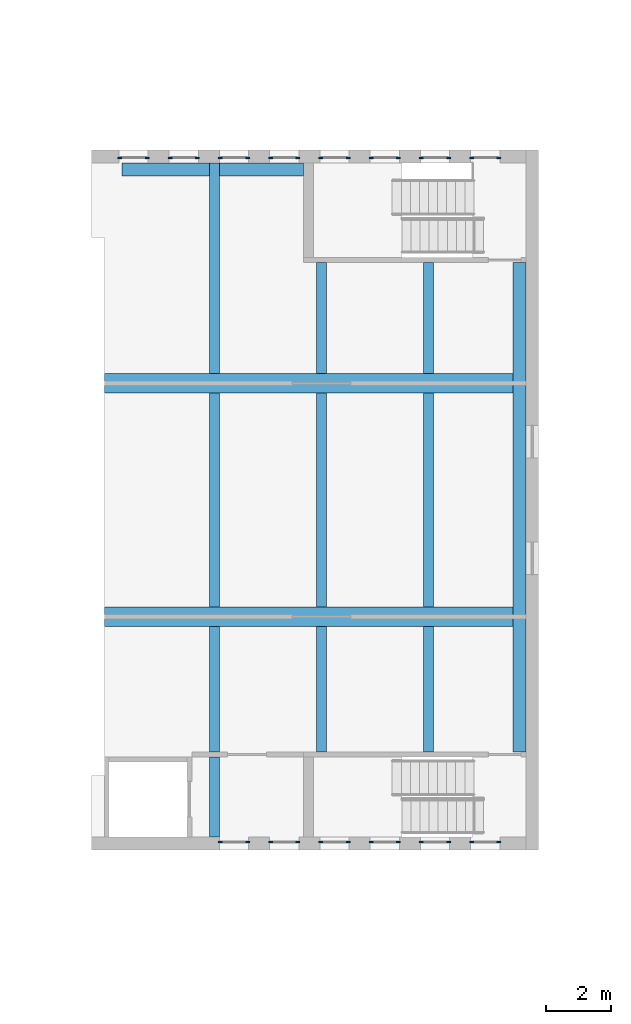
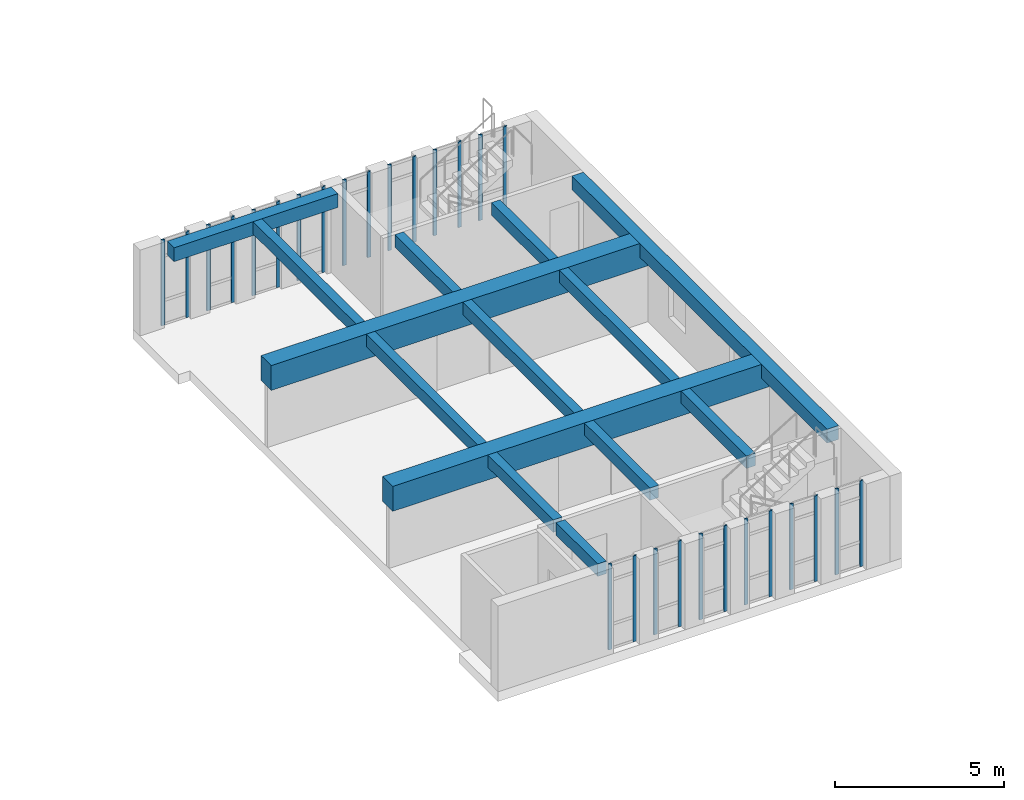
# One storey, part 4 of 19: 28 members, 14 beams, 14 elements without a shape of their own.
"""IFC4 building model written with IfcOpenShell, lengths in metres."""

from ifc_helpers import new_model, si_unit, direction, frame, origin, origin_2d, place, context, subcontext, project, spatial, rectangle, extrude, material, material_profile, profile_set, type_object, element, aggregate, save


model = new_model("IFC4")

# Units and contexts
model_context = context("Model", 3, precision=1e-05, world=origin(), true_north=direction((0.0, 1.0)))
body_context = subcontext(model_context, "Body", "Model", "MODEL_VIEW")
ifc_project = project(units=[si_unit("LENGTHUNIT", "METRE"), si_unit("AREAUNIT", "SQUARE_METRE"), si_unit("VOLUMEUNIT", "CUBIC_METRE"), si_unit("PLANEANGLEUNIT", "RADIAN"), si_unit("MASSUNIT", "GRAM", prefix="KILO")], contexts=[model_context])

# Site, building, storey
site_placement = place(None, origin())
site = spatial("IfcSite", under=ifc_project, at=site_placement, CompositionType="ELEMENT")
building_placement = place(site_placement, origin())
building = spatial("IfcBuilding", under=site, at=building_placement, Name="Vermilion Court Aquatics Centre", CompositionType="ELEMENT")
storey_placement = place(building_placement, frame((0.0, 0.0, 19.89990234375)))
storey = spatial("IfcBuildingStorey", under=building, at=storey_placement, Name="L04", CompositionType="ELEMENT", Elevation=19.89990234375)

# Beams
ifc_material_1 = material(Name="Concrete 8000 psi", Category="concrete")
ifc_material_profile_1 = material_profile(ifc_material_1, rectangle(XDim=0.39990234375, YDim=0.5, at=origin_2d()), Name="RC 400x500")
ifc_profile_set_1 = profile_set([ifc_material_profile_1], Name="Concrete 8000 psi")
beam_type_1 = type_object("IfcBeamType", Name="Diving Tower diaphragm chord beam RC 400x500", PredefinedType="BEAM", material=ifc_profile_set_1)
beam_1_placement = place(storey_placement, frame((157.300048828125, 39.02490234375, 2.85009765625), z_axis=(0.0, 1.0, 0.0), x_axis=(-1.0, 0.0, 0.0)))
element("IfcBeam", 1, at=beam_1_placement, inside=storey, type_object=beam_type_1, Name="Diving Tower diaphragm chord beam E roof", PredefinedType="BEAM", context=body_context, shape_type="SweptSolid", body=[
    extrude(rectangle(XDim=0.39990234375, YDim=0.5, at=origin_2d()), origin(), (0.0, 0.0, 1.0), 15.10009765625),
])
beam_2_placement = place(storey_placement, frame((145.050048828125, 57.0, 2.85009765625), z_axis=(1.0, 0.0, 0.0), x_axis=(0.0, 1.0, 0.0)))
element("IfcBeam", 2, at=beam_2_placement, inside=storey, type_object=beam_type_1, Name="Diving Tower diaphragm chord beam N roof", PredefinedType="BEAM", context=body_context, shape_type="SweptSolid", body=[
    extrude(rectangle(XDim=0.39990234375, YDim=0.5, at=origin_2d()), origin(), (0.0, 0.0, 1.0), 5.599853515625),
])
ifc_material_2 = material(Name="Concrete 8000 psi", Category="concrete")
ifc_material_profile_2 = material_profile(ifc_material_2, rectangle(XDim=0.300048828125, YDim=0.449951171875, at=origin_2d()), Name="RC 300x450")
ifc_profile_set_2 = profile_set([ifc_material_profile_2], Name="Concrete 8000 psi")
beam_type_2 = type_object("IfcBeamType", Name="Diving Tower floor joist RC 300x450", PredefinedType="JOIST", material=ifc_profile_set_2)
beam_3_placement = place(storey_placement, frame((147.89990234375, 36.39990234375, 2.875), z_axis=(0.0, 1.0, 0.0), x_axis=(-1.0, 0.0, 0.0)))
element("IfcBeam", 3, at=beam_3_placement, inside=storey, type_object=beam_type_2, Name="Diving Tower floor joist x147.9 1 roof", PredefinedType="JOIST", context=body_context, shape_type="SweptSolid", body=[
    extrude(rectangle(XDim=0.300048828125, YDim=0.449951171875, at=origin_2d()), origin(), (0.0, 0.0, 1.0), 2.47509765625),
])
beam_4_placement = place(storey_placement, frame((147.89990234375, 39.02490234375, 2.875), z_axis=(0.0, 1.0, 0.0), x_axis=(-1.0, 0.0, 0.0)))
element("IfcBeam", 4, at=beam_4_placement, inside=storey, type_object=beam_type_2, Name="Diving Tower floor joist x147.9 2 roof", PredefinedType="JOIST", context=body_context, shape_type="SweptSolid", body=[
    extrude(rectangle(XDim=0.300048828125, YDim=0.449951171875, at=origin_2d()), origin(), (0.0, 0.0, 1.0), 3.875),
])
beam_5_placement = place(storey_placement, frame((147.89990234375, 43.5, 2.875), z_axis=(0.0, 1.0, 0.0), x_axis=(-1.0, 0.0, 0.0)))
element("IfcBeam", 5, at=beam_5_placement, inside=storey, type_object=beam_type_2, Name="Diving Tower floor joist x147.9 3 roof", PredefinedType="JOIST", context=body_context, shape_type="SweptSolid", body=[
    extrude(rectangle(XDim=0.300048828125, YDim=0.449951171875, at=origin_2d()), origin(), (0.0, 0.0, 1.0), 6.60009765625),
])
beam_6_placement = place(storey_placement, frame((147.89990234375, 50.699951171875, 2.875), z_axis=(0.0, 1.0, 0.0), x_axis=(-1.0, 0.0, 0.0)))
element("IfcBeam", 6, at=beam_6_placement, inside=storey, type_object=beam_type_2, Name="Diving Tower floor joist x147.9 4 roof", PredefinedType="JOIST", context=body_context, shape_type="SweptSolid", body=[
    extrude(rectangle(XDim=0.300048828125, YDim=0.449951171875, at=origin_2d()), origin(), (0.0, 0.0, 1.0), 6.5),
])
beam_7_placement = place(storey_placement, frame((151.199951171875, 39.02490234375, 2.875), z_axis=(0.0, 1.0, 0.0), x_axis=(-1.0, 0.0, 0.0)))
element("IfcBeam", 7, at=beam_7_placement, inside=storey, type_object=beam_type_2, Name="Diving Tower floor joist x151.2 1 roof", PredefinedType="JOIST", context=body_context, shape_type="SweptSolid", body=[
    extrude(rectangle(XDim=0.300048828125, YDim=0.449951171875, at=origin_2d()), origin(), (0.0, 0.0, 1.0), 3.875),
])
beam_8_placement = place(storey_placement, frame((151.199951171875, 43.5, 2.875), z_axis=(0.0, 1.0, 0.0), x_axis=(-1.0, 0.0, 0.0)))
element("IfcBeam", 8, at=beam_8_placement, inside=storey, type_object=beam_type_2, Name="Diving Tower floor joist x151.2 2 roof", PredefinedType="JOIST", context=body_context, shape_type="SweptSolid", body=[
    extrude(rectangle(XDim=0.300048828125, YDim=0.449951171875, at=origin_2d()), origin(), (0.0, 0.0, 1.0), 6.60009765625),
])
beam_9_placement = place(storey_placement, frame((151.199951171875, 50.699951171875, 2.875), z_axis=(0.0, 1.0, 0.0), x_axis=(-1.0, 0.0, 0.0)))
element("IfcBeam", 9, at=beam_9_placement, inside=storey, type_object=beam_type_2, Name="Diving Tower floor joist x151.2 3 roof", PredefinedType="JOIST", context=body_context, shape_type="SweptSolid", body=[
    extrude(rectangle(XDim=0.300048828125, YDim=0.449951171875, at=origin_2d()), origin(), (0.0, 0.0, 1.0), 3.425048828125),
])
beam_10_placement = place(storey_placement, frame((154.5, 39.02490234375, 2.875), z_axis=(0.0, 1.0, 0.0), x_axis=(-1.0, 0.0, 0.0)))
element("IfcBeam", 10, at=beam_10_placement, inside=storey, type_object=beam_type_2, Name="Diving Tower floor joist x154.5 1 roof", PredefinedType="JOIST", context=body_context, shape_type="SweptSolid", body=[
    extrude(rectangle(XDim=0.300048828125, YDim=0.449951171875, at=origin_2d()), origin(), (0.0, 0.0, 1.0), 3.875),
])
beam_11_placement = place(storey_placement, frame((154.5, 43.5, 2.875), z_axis=(0.0, 1.0, 0.0), x_axis=(-1.0, 0.0, 0.0)))
element("IfcBeam", 11, at=beam_11_placement, inside=storey, type_object=beam_type_2, Name="Diving Tower floor joist x154.5 2 roof", PredefinedType="JOIST", context=body_context, shape_type="SweptSolid", body=[
    extrude(rectangle(XDim=0.300048828125, YDim=0.449951171875, at=origin_2d()), origin(), (0.0, 0.0, 1.0), 6.60009765625),
])
beam_12_placement = place(storey_placement, frame((154.5, 50.699951171875, 2.875), z_axis=(0.0, 1.0, 0.0), x_axis=(-1.0, 0.0, 0.0)))
element("IfcBeam", 12, at=beam_12_placement, inside=storey, type_object=beam_type_2, Name="Diving Tower floor joist x154.5 3 roof", PredefinedType="JOIST", context=body_context, shape_type="SweptSolid", body=[
    extrude(rectangle(XDim=0.300048828125, YDim=0.449951171875, at=origin_2d()), origin(), (0.0, 0.0, 1.0), 3.425048828125),
])
ifc_material_3 = material(Name="Concrete 8000 psi", Category="concrete")
ifc_material_profile_3 = material_profile(ifc_material_3, rectangle(XDim=0.60009765625, YDim=0.89990234375, at=origin_2d()), Name="RC 600x900")
ifc_profile_set_3 = profile_set([ifc_material_profile_3], Name="Concrete 8000 psi")
beam_type_3 = type_object("IfcBeamType", Name="Diving Tower girder 600x900", PredefinedType="BEAM", material=ifc_profile_set_3)
for number, where, z_axis, x_axis, name in (
    (13, (144.5, 43.199951171875, 2.650146484375), (1.0, 0.0, 0.0), (0.0, 1.0, 0.0), "Diving Tower girder y43.2 roof"),
    (14, (144.5, 50.39990234375, 2.650146484375), (1.0, 0.0, 0.0), (0.0, 1.0, 0.0), "Diving Tower girder y50.4 roof"),
):
    element("IfcBeam", number, at=place(storey_placement, frame(where, z_axis=z_axis, x_axis=x_axis)), inside=storey, type_object=beam_type_3, Name=name, PredefinedType="BEAM", context=body_context, shape_type="SweptSolid", body=[
        extrude(rectangle(XDim=0.60009765625, YDim=0.89990234375, at=origin_2d()), origin(), (0.0, 0.0, 1.0), 13.0),
    ])

# Curtain wall, members
ifc_material_4 = material(Name="Aluminium 6063-T5", Category="aluminium")
curtain_wall_type = type_object("IfcCurtainWallType", Name="Diving Tower slot curtain wall 900 module", PredefinedType="NOTDEFINED", material=ifc_material_4)
curtain_wall_1_placement = place(storey_placement, origin())
curtain_wall_1 = element("IfcCurtainWall", 15, at=curtain_wall_1_placement, inside=storey, type_object=curtain_wall_type, Name="Diving Tower slot window north 1 L04", PredefinedType="NOTDEFINED")
ifc_material_5 = material(Name="Aluminium 6063-T5", Category="aluminium")
ifc_material_profile_4 = material_profile(ifc_material_5, rectangle(XDim=0.050048828125, YDim=0.1201171875, at=origin_2d()), Name="AL 50x120")
ifc_profile_set_4 = profile_set([ifc_material_profile_4], Name="Aluminium 6063-T5")
member_type = type_object("IfcMemberType", Name="Diving Tower slot mullion 50x120", PredefinedType="MULLION", material=ifc_profile_set_4)
member_1_placement = place(storey_placement, frame((144.97998046875, 57.35009765625, 0.0), z_axis=(0.0, 0.0, 1.0), x_axis=(0.0, 1.0, 0.0)))
member_1 = element("IfcMember", 16, at=member_1_placement, type_object=member_type, Name="UCW3 mullion 1", PredefinedType="MULLION", context=body_context, shape_type="SweptSolid", body=[
    extrude(rectangle(XDim=0.050048828125, YDim=0.1201171875, at=origin_2d()), origin(), (0.0, 0.0, 1.0), 3.10009765625),
])
member_2_placement = place(storey_placement, frame((145.820068359375, 57.35009765625, 0.0), z_axis=(0.0, 0.0, 1.0), x_axis=(0.0, 1.0, 0.0)))
member_2 = element("IfcMember", 17, at=member_2_placement, type_object=member_type, Name="UCW3 mullion 2", PredefinedType="MULLION", context=body_context, shape_type="SweptSolid", body=[
    extrude(rectangle(XDim=0.050048828125, YDim=0.1201171875, at=origin_2d()), origin(), (0.0, 0.0, 1.0), 3.10009765625),
])
aggregate(curtain_wall_1, [member_1, member_2])

curtain_wall_2_placement = place(storey_placement, origin())
curtain_wall_2 = element("IfcCurtainWall", 18, at=curtain_wall_2_placement, inside=storey, type_object=curtain_wall_type, Name="Diving Tower slot window north 2 L04", PredefinedType="NOTDEFINED")
member_3_placement = place(storey_placement, frame((146.530029296875, 57.35009765625, 0.0), z_axis=(0.0, 0.0, 1.0), x_axis=(0.0, 1.0, 0.0)))
member_3 = element("IfcMember", 19, at=member_3_placement, type_object=member_type, Name="UCW3 mullion 1", PredefinedType="MULLION", context=body_context, shape_type="SweptSolid", body=[
    extrude(rectangle(XDim=0.050048828125, YDim=0.1201171875, at=origin_2d()), origin(), (0.0, 0.0, 1.0), 3.10009765625),
])
member_4_placement = place(storey_placement, frame((147.3701171875, 57.35009765625, 0.0), z_axis=(0.0, 0.0, 1.0), x_axis=(0.0, 1.0, 0.0)))
member_4 = element("IfcMember", 20, at=member_4_placement, type_object=member_type, Name="UCW3 mullion 2", PredefinedType="MULLION", context=body_context, shape_type="SweptSolid", body=[
    extrude(rectangle(XDim=0.050048828125, YDim=0.1201171875, at=origin_2d()), origin(), (0.0, 0.0, 1.0), 3.10009765625),
])
aggregate(curtain_wall_2, [member_3, member_4])

curtain_wall_3_placement = place(storey_placement, origin())
curtain_wall_3 = element("IfcCurtainWall", 21, at=curtain_wall_3_placement, inside=storey, type_object=curtain_wall_type, Name="Diving Tower slot window north 3 L04", PredefinedType="NOTDEFINED")
member_5_placement = place(storey_placement, frame((148.080078125, 57.35009765625, 0.0), z_axis=(0.0, 0.0, 1.0), x_axis=(0.0, 1.0, 0.0)))
member_5 = element("IfcMember", 22, at=member_5_placement, type_object=member_type, Name="UCW3 mullion 1", PredefinedType="MULLION", context=body_context, shape_type="SweptSolid", body=[
    extrude(rectangle(XDim=0.050048828125, YDim=0.1201171875, at=origin_2d()), origin(), (0.0, 0.0, 1.0), 3.10009765625),
])
member_6_placement = place(storey_placement, frame((148.919921875, 57.35009765625, 0.0), z_axis=(0.0, 0.0, 1.0), x_axis=(0.0, 1.0, 0.0)))
member_6 = element("IfcMember", 23, at=member_6_placement, type_object=member_type, Name="UCW3 mullion 2", PredefinedType="MULLION", context=body_context, shape_type="SweptSolid", body=[
    extrude(rectangle(XDim=0.050048828125, YDim=0.1201171875, at=origin_2d()), origin(), (0.0, 0.0, 1.0), 3.10009765625),
])
aggregate(curtain_wall_3, [member_5, member_6])

curtain_wall_4_placement = place(storey_placement, origin())
curtain_wall_4 = element("IfcCurtainWall", 24, at=curtain_wall_4_placement, inside=storey, type_object=curtain_wall_type, Name="Diving Tower slot window north 4 L04", PredefinedType="NOTDEFINED")
member_7_placement = place(storey_placement, frame((149.6298828125, 57.35009765625, 0.0), z_axis=(0.0, 0.0, 1.0), x_axis=(0.0, 1.0, 0.0)))
member_7 = element("IfcMember", 25, at=member_7_placement, type_object=member_type, Name="UCW3 mullion 1", PredefinedType="MULLION", context=body_context, shape_type="SweptSolid", body=[
    extrude(rectangle(XDim=0.050048828125, YDim=0.1201171875, at=origin_2d()), origin(), (0.0, 0.0, 1.0), 3.10009765625),
])
member_8_placement = place(storey_placement, frame((150.469970703125, 57.35009765625, 0.0), z_axis=(0.0, 0.0, 1.0), x_axis=(0.0, 1.0, 0.0)))
member_8 = element("IfcMember", 26, at=member_8_placement, type_object=member_type, Name="UCW3 mullion 2", PredefinedType="MULLION", context=body_context, shape_type="SweptSolid", body=[
    extrude(rectangle(XDim=0.050048828125, YDim=0.1201171875, at=origin_2d()), origin(), (0.0, 0.0, 1.0), 3.10009765625),
])
aggregate(curtain_wall_4, [member_7, member_8])

curtain_wall_5_placement = place(storey_placement, origin())
curtain_wall_5 = element("IfcCurtainWall", 27, at=curtain_wall_5_placement, inside=storey, type_object=curtain_wall_type, Name="Diving Tower slot window north 5 L04", PredefinedType="NOTDEFINED")
member_9_placement = place(storey_placement, frame((151.179931640625, 57.35009765625, 0.0), z_axis=(0.0, 0.0, 1.0), x_axis=(0.0, 1.0, 0.0)))
member_9 = element("IfcMember", 28, at=member_9_placement, type_object=member_type, Name="UCW3 mullion 1", PredefinedType="MULLION", context=body_context, shape_type="SweptSolid", body=[
    extrude(rectangle(XDim=0.050048828125, YDim=0.1201171875, at=origin_2d()), origin(), (0.0, 0.0, 1.0), 3.10009765625),
])
member_10_placement = place(storey_placement, frame((152.02001953125, 57.35009765625, 0.0), z_axis=(0.0, 0.0, 1.0), x_axis=(0.0, 1.0, 0.0)))
member_10 = element("IfcMember", 29, at=member_10_placement, type_object=member_type, Name="UCW3 mullion 2", PredefinedType="MULLION", context=body_context, shape_type="SweptSolid", body=[
    extrude(rectangle(XDim=0.050048828125, YDim=0.1201171875, at=origin_2d()), origin(), (0.0, 0.0, 1.0), 3.10009765625),
])
aggregate(curtain_wall_5, [member_9, member_10])

curtain_wall_6_placement = place(storey_placement, origin())
curtain_wall_6 = element("IfcCurtainWall", 30, at=curtain_wall_6_placement, inside=storey, type_object=curtain_wall_type, Name="Diving Tower slot window north 6 L04", PredefinedType="NOTDEFINED")
member_11_placement = place(storey_placement, frame((152.72998046875, 57.35009765625, 0.0), z_axis=(0.0, 0.0, 1.0), x_axis=(0.0, 1.0, 0.0)))
member_11 = element("IfcMember", 31, at=member_11_placement, type_object=member_type, Name="UCW3 mullion 1", PredefinedType="MULLION", context=body_context, shape_type="SweptSolid", body=[
    extrude(rectangle(XDim=0.050048828125, YDim=0.1201171875, at=origin_2d()), origin(), (0.0, 0.0, 1.0), 3.10009765625),
])
member_12_placement = place(storey_placement, frame((153.570068359375, 57.35009765625, 0.0), z_axis=(0.0, 0.0, 1.0), x_axis=(0.0, 1.0, 0.0)))
member_12 = element("IfcMember", 32, at=member_12_placement, type_object=member_type, Name="UCW3 mullion 2", PredefinedType="MULLION", context=body_context, shape_type="SweptSolid", body=[
    extrude(rectangle(XDim=0.050048828125, YDim=0.1201171875, at=origin_2d()), origin(), (0.0, 0.0, 1.0), 3.10009765625),
])
aggregate(curtain_wall_6, [member_11, member_12])

curtain_wall_7_placement = place(storey_placement, origin())
curtain_wall_7 = element("IfcCurtainWall", 33, at=curtain_wall_7_placement, inside=storey, type_object=curtain_wall_type, Name="Diving Tower slot window north 7 L04", PredefinedType="NOTDEFINED")
member_13_placement = place(storey_placement, frame((154.280029296875, 57.35009765625, 0.0), z_axis=(0.0, 0.0, 1.0), x_axis=(0.0, 1.0, 0.0)))
member_13 = element("IfcMember", 34, at=member_13_placement, type_object=member_type, Name="UCW3 mullion 1", PredefinedType="MULLION", context=body_context, shape_type="SweptSolid", body=[
    extrude(rectangle(XDim=0.050048828125, YDim=0.1201171875, at=origin_2d()), origin(), (0.0, 0.0, 1.0), 3.10009765625),
])
member_14_placement = place(storey_placement, frame((155.1201171875, 57.35009765625, 0.0), z_axis=(0.0, 0.0, 1.0), x_axis=(0.0, 1.0, 0.0)))
member_14 = element("IfcMember", 35, at=member_14_placement, type_object=member_type, Name="UCW3 mullion 2", PredefinedType="MULLION", context=body_context, shape_type="SweptSolid", body=[
    extrude(rectangle(XDim=0.050048828125, YDim=0.1201171875, at=origin_2d()), origin(), (0.0, 0.0, 1.0), 3.10009765625),
])
aggregate(curtain_wall_7, [member_13, member_14])

curtain_wall_8_placement = place(storey_placement, origin())
curtain_wall_8 = element("IfcCurtainWall", 36, at=curtain_wall_8_placement, inside=storey, type_object=curtain_wall_type, Name="Diving Tower slot window north 8 L04", PredefinedType="NOTDEFINED")
member_15_placement = place(storey_placement, frame((155.830078125, 57.35009765625, 0.0), z_axis=(0.0, 0.0, 1.0), x_axis=(0.0, 1.0, 0.0)))
member_15 = element("IfcMember", 37, at=member_15_placement, type_object=member_type, Name="UCW3 mullion 1", PredefinedType="MULLION", context=body_context, shape_type="SweptSolid", body=[
    extrude(rectangle(XDim=0.050048828125, YDim=0.1201171875, at=origin_2d()), origin(), (0.0, 0.0, 1.0), 3.10009765625),
])
member_16_placement = place(storey_placement, frame((156.669921875, 57.35009765625, 0.0), z_axis=(0.0, 0.0, 1.0), x_axis=(0.0, 1.0, 0.0)))
member_16 = element("IfcMember", 38, at=member_16_placement, type_object=member_type, Name="UCW3 mullion 2", PredefinedType="MULLION", context=body_context, shape_type="SweptSolid", body=[
    extrude(rectangle(XDim=0.050048828125, YDim=0.1201171875, at=origin_2d()), origin(), (0.0, 0.0, 1.0), 3.10009765625),
])
aggregate(curtain_wall_8, [member_15, member_16])

curtain_wall_9_placement = place(storey_placement, origin())
curtain_wall_9 = element("IfcCurtainWall", 39, at=curtain_wall_9_placement, inside=storey, type_object=curtain_wall_type, Name="Diving Tower slot window south 1 L04", PredefinedType="NOTDEFINED")
member_17_placement = place(storey_placement, frame((148.080078125, 36.25, 0.0), z_axis=(0.0, 0.0, 1.0), x_axis=(0.0, 1.0, 0.0)))
member_17 = element("IfcMember", 40, at=member_17_placement, type_object=member_type, Name="UCW3 mullion 1", PredefinedType="MULLION", context=body_context, shape_type="SweptSolid", body=[
    extrude(rectangle(XDim=0.050048828125, YDim=0.1201171875, at=origin_2d()), origin(), (0.0, 0.0, 1.0), 3.10009765625),
])
member_18_placement = place(storey_placement, frame((148.919921875, 36.25, 0.0), z_axis=(0.0, 0.0, 1.0), x_axis=(0.0, 1.0, 0.0)))
member_18 = element("IfcMember", 41, at=member_18_placement, type_object=member_type, Name="UCW3 mullion 2", PredefinedType="MULLION", context=body_context, shape_type="SweptSolid", body=[
    extrude(rectangle(XDim=0.050048828125, YDim=0.1201171875, at=origin_2d()), origin(), (0.0, 0.0, 1.0), 3.10009765625),
])
aggregate(curtain_wall_9, [member_17, member_18])

curtain_wall_10_placement = place(storey_placement, origin())
curtain_wall_10 = element("IfcCurtainWall", 42, at=curtain_wall_10_placement, inside=storey, type_object=curtain_wall_type, Name="Diving Tower slot window south 2 L04", PredefinedType="NOTDEFINED")
member_19_placement = place(storey_placement, frame((149.6298828125, 36.25, 0.0), z_axis=(0.0, 0.0, 1.0), x_axis=(0.0, 1.0, 0.0)))
member_19 = element("IfcMember", 43, at=member_19_placement, type_object=member_type, Name="UCW3 mullion 1", PredefinedType="MULLION", context=body_context, shape_type="SweptSolid", body=[
    extrude(rectangle(XDim=0.050048828125, YDim=0.1201171875, at=origin_2d()), origin(), (0.0, 0.0, 1.0), 3.10009765625),
])
member_20_placement = place(storey_placement, frame((150.469970703125, 36.25, 0.0), z_axis=(0.0, 0.0, 1.0), x_axis=(0.0, 1.0, 0.0)))
member_20 = element("IfcMember", 44, at=member_20_placement, type_object=member_type, Name="UCW3 mullion 2", PredefinedType="MULLION", context=body_context, shape_type="SweptSolid", body=[
    extrude(rectangle(XDim=0.050048828125, YDim=0.1201171875, at=origin_2d()), origin(), (0.0, 0.0, 1.0), 3.10009765625),
])
aggregate(curtain_wall_10, [member_19, member_20])

curtain_wall_11_placement = place(storey_placement, origin())
curtain_wall_11 = element("IfcCurtainWall", 45, at=curtain_wall_11_placement, inside=storey, type_object=curtain_wall_type, Name="Diving Tower slot window south 3 L04", PredefinedType="NOTDEFINED")
member_21_placement = place(storey_placement, frame((151.179931640625, 36.25, 0.0), z_axis=(0.0, 0.0, 1.0), x_axis=(0.0, 1.0, 0.0)))
member_21 = element("IfcMember", 46, at=member_21_placement, type_object=member_type, Name="UCW3 mullion 1", PredefinedType="MULLION", context=body_context, shape_type="SweptSolid", body=[
    extrude(rectangle(XDim=0.050048828125, YDim=0.1201171875, at=origin_2d()), origin(), (0.0, 0.0, 1.0), 3.10009765625),
])
member_22_placement = place(storey_placement, frame((152.02001953125, 36.25, 0.0), z_axis=(0.0, 0.0, 1.0), x_axis=(0.0, 1.0, 0.0)))
member_22 = element("IfcMember", 47, at=member_22_placement, type_object=member_type, Name="UCW3 mullion 2", PredefinedType="MULLION", context=body_context, shape_type="SweptSolid", body=[
    extrude(rectangle(XDim=0.050048828125, YDim=0.1201171875, at=origin_2d()), origin(), (0.0, 0.0, 1.0), 3.10009765625),
])
aggregate(curtain_wall_11, [member_21, member_22])

curtain_wall_12_placement = place(storey_placement, origin())
curtain_wall_12 = element("IfcCurtainWall", 48, at=curtain_wall_12_placement, inside=storey, type_object=curtain_wall_type, Name="Diving Tower slot window south 4 L04", PredefinedType="NOTDEFINED")
member_23_placement = place(storey_placement, frame((152.72998046875, 36.25, 0.0), z_axis=(0.0, 0.0, 1.0), x_axis=(0.0, 1.0, 0.0)))
member_23 = element("IfcMember", 49, at=member_23_placement, type_object=member_type, Name="UCW3 mullion 1", PredefinedType="MULLION", context=body_context, shape_type="SweptSolid", body=[
    extrude(rectangle(XDim=0.050048828125, YDim=0.1201171875, at=origin_2d()), origin(), (0.0, 0.0, 1.0), 3.10009765625),
])
member_24_placement = place(storey_placement, frame((153.570068359375, 36.25, 0.0), z_axis=(0.0, 0.0, 1.0), x_axis=(0.0, 1.0, 0.0)))
member_24 = element("IfcMember", 50, at=member_24_placement, type_object=member_type, Name="UCW3 mullion 2", PredefinedType="MULLION", context=body_context, shape_type="SweptSolid", body=[
    extrude(rectangle(XDim=0.050048828125, YDim=0.1201171875, at=origin_2d()), origin(), (0.0, 0.0, 1.0), 3.10009765625),
])
aggregate(curtain_wall_12, [member_23, member_24])

curtain_wall_13_placement = place(storey_placement, origin())
curtain_wall_13 = element("IfcCurtainWall", 51, at=curtain_wall_13_placement, inside=storey, type_object=curtain_wall_type, Name="Diving Tower slot window south 5 L04", PredefinedType="NOTDEFINED")
member_25_placement = place(storey_placement, frame((154.280029296875, 36.25, 0.0), z_axis=(0.0, 0.0, 1.0), x_axis=(0.0, 1.0, 0.0)))
member_25 = element("IfcMember", 52, at=member_25_placement, type_object=member_type, Name="UCW3 mullion 1", PredefinedType="MULLION", context=body_context, shape_type="SweptSolid", body=[
    extrude(rectangle(XDim=0.050048828125, YDim=0.1201171875, at=origin_2d()), origin(), (0.0, 0.0, 1.0), 3.10009765625),
])
member_26_placement = place(storey_placement, frame((155.1201171875, 36.25, 0.0), z_axis=(0.0, 0.0, 1.0), x_axis=(0.0, 1.0, 0.0)))
member_26 = element("IfcMember", 53, at=member_26_placement, type_object=member_type, Name="UCW3 mullion 2", PredefinedType="MULLION", context=body_context, shape_type="SweptSolid", body=[
    extrude(rectangle(XDim=0.050048828125, YDim=0.1201171875, at=origin_2d()), origin(), (0.0, 0.0, 1.0), 3.10009765625),
])
aggregate(curtain_wall_13, [member_25, member_26])

curtain_wall_14_placement = place(storey_placement, origin())
curtain_wall_14 = element("IfcCurtainWall", 54, at=curtain_wall_14_placement, inside=storey, type_object=curtain_wall_type, Name="Diving Tower slot window south 6 L04", PredefinedType="NOTDEFINED")
member_27_placement = place(storey_placement, frame((155.830078125, 36.25, 0.0), z_axis=(0.0, 0.0, 1.0), x_axis=(0.0, 1.0, 0.0)))
member_27 = element("IfcMember", 55, at=member_27_placement, type_object=member_type, Name="UCW3 mullion 1", PredefinedType="MULLION", context=body_context, shape_type="SweptSolid", body=[
    extrude(rectangle(XDim=0.050048828125, YDim=0.1201171875, at=origin_2d()), origin(), (0.0, 0.0, 1.0), 3.10009765625),
])
member_28_placement = place(storey_placement, frame((156.669921875, 36.25, 0.0), z_axis=(0.0, 0.0, 1.0), x_axis=(0.0, 1.0, 0.0)))
member_28 = element("IfcMember", 56, at=member_28_placement, type_object=member_type, Name="UCW3 mullion 2", PredefinedType="MULLION", context=body_context, shape_type="SweptSolid", body=[
    extrude(rectangle(XDim=0.050048828125, YDim=0.1201171875, at=origin_2d()), origin(), (0.0, 0.0, 1.0), 3.10009765625),
])
aggregate(curtain_wall_14, [member_27, member_28])

save(model, "model.ifc")
